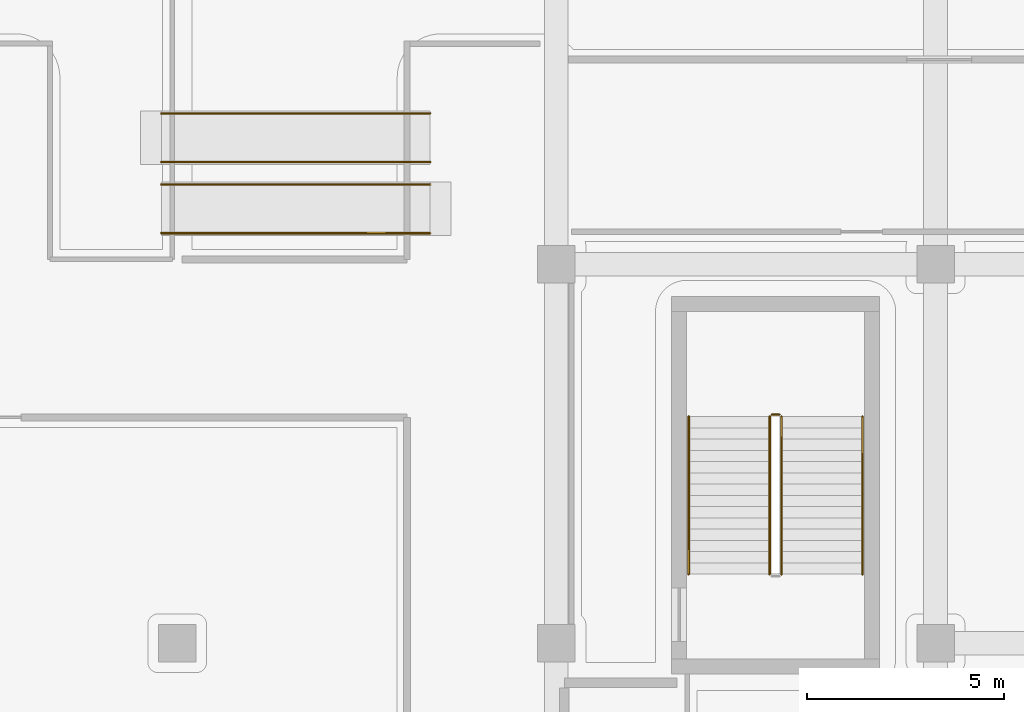
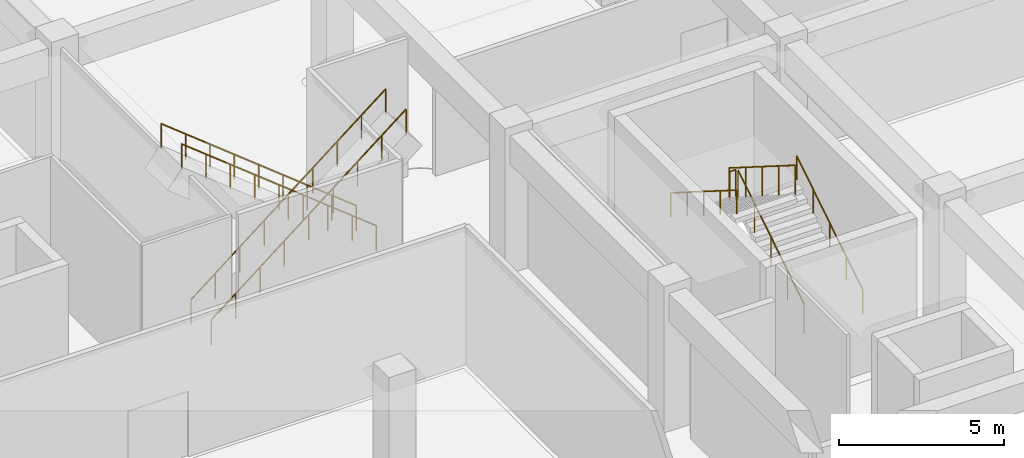
# One storey, part 54 of 74: 9 railings.
"""IFC4 building model written with IfcOpenShell, lengths in metres."""

from ifc_helpers import new_model, si_unit, direction, frame, origin, origin_2d, place, context, subcontext, project, spatial, circle, extrude, material, type_object, element, save


model = new_model("IFC4")

# Units and contexts
model_context = context("Model", 3, precision=1e-05, world=origin(), true_north=direction((0.0, 1.0)))
body_context = subcontext(model_context, "Body", "Model", "MODEL_VIEW")
ifc_project = project(units=[si_unit("LENGTHUNIT", "METRE"), si_unit("AREAUNIT", "SQUARE_METRE"), si_unit("VOLUMEUNIT", "CUBIC_METRE"), si_unit("PLANEANGLEUNIT", "RADIAN"), si_unit("MASSUNIT", "GRAM", prefix="KILO")], contexts=[model_context])

# Site, building, storey
site_placement = place(None, origin())
site = spatial("IfcSite", under=ifc_project, at=site_placement, CompositionType="ELEMENT")
building_placement = place(site_placement, origin())
building = spatial("IfcBuilding", under=site, at=building_placement, Name="Cendralis Terraced Arcade", CompositionType="ELEMENT")
storey_placement = place(building_placement, origin())
storey = spatial("IfcBuildingStorey", under=building, at=storey_placement, Name="L00", CompositionType="ELEMENT", Elevation=0.0)

# Railings
ifc_material = material(Name="Brushed stainless steel AISI 316", Category="steel")
railing_type_1 = type_object("IfcRailingType", Name="RL-ESC-HAND-950", PredefinedType="HANDRAIL", material=ifc_material)
for number, where, name in (
    (1, (38.0, 39.18505859375, 0.0), "Escalator Balustrade Handrail ESC-01-1"),
    (2, (38.0, 40.4150390625, 0.0), "Escalator Balustrade Handrail ESC-01-2"),
):
    element("IfcRailing", number, at=place(storey_placement, frame(where)), inside=storey, type_object=railing_type_1, Name=name, PredefinedType="HANDRAIL", context=body_context, shape_type="SweptSolid", body=[
        extrude(circle(Radius=0.02392578125, at=origin_2d()), frame((0.0, 0.0, 0.92578125), z_axis=(0.783118499202, 0.0, 0.621872508001), x_axis=(0.0, 1.0, 0.0)), (0.0, 0.0, 1.0), 8.683349609375),
        extrude(circle(Radius=0.02099609375, at=origin_2d()), origin(), (0.0, 0.0, 1.0), 0.90185546875),
        extrude(circle(Radius=0.02099609375, at=origin_2d()), frame((0.85009765625, 0.0, 0.675048828125)), (0.0, 0.0, 1.0), 0.90185546875),
        extrude(circle(Radius=0.02099609375, at=origin_2d()), frame((1.699951171875, 0.0, 1.35009765625)), (0.0, 0.0, 1.0), 0.90185546875),
        extrude(circle(Radius=0.02099609375, at=origin_2d()), frame((2.550048828125, 0.0, 2.02490234375)), (0.0, 0.0, 1.0), 0.90185546875),
        extrude(circle(Radius=0.02099609375, at=origin_2d()), frame((3.39990234375, 0.0, 2.699951171875)), (0.0, 0.0, 1.0), 0.90185546875),
        extrude(circle(Radius=0.02099609375, at=origin_2d()), frame((4.25, 0.0, 3.375)), (0.0, 0.0, 1.0), 0.90185546875),
        extrude(circle(Radius=0.02099609375, at=origin_2d()), frame((5.10009765625, 0.0, 4.0498046875)), (0.0, 0.0, 1.0), 0.90185546875),
        extrude(circle(Radius=0.02099609375, at=origin_2d()), frame((5.949951171875, 0.0, 4.724853515625)), (0.0, 0.0, 1.0), 0.90185546875),
        extrude(circle(Radius=0.02099609375, at=origin_2d()), frame((6.800048828125, 0.0, 5.39990234375)), (0.0, 0.0, 1.0), 0.90185546875),
    ])
for number, where, name in (
    (3, (44.800048828125, 40.985107421875, 0.0), "Escalator Balustrade Handrail ESC-02-1"),
    (4, (44.800048828125, 42.215087890625, 0.0), "Escalator Balustrade Handrail ESC-02-2"),
):
    element("IfcRailing", number, at=place(storey_placement, frame(where)), inside=storey, type_object=railing_type_1, Name=name, PredefinedType="HANDRAIL", context=body_context, shape_type="SweptSolid", body=[
        extrude(circle(Radius=0.02392578125, at=origin_2d()), frame((0.0, 0.0, 0.92578125), z_axis=(-0.783118499202, 0.0, 0.621872508001), x_axis=(0.0, -1.0, 0.0)), (0.0, 0.0, 1.0), 8.683349609375),
        extrude(circle(Radius=0.02099609375, at=origin_2d()), origin(), (0.0, 0.0, 1.0), 0.90185546875),
        extrude(circle(Radius=0.02099609375, at=origin_2d()), frame((-0.85009765625, 0.0, 0.675048828125)), (0.0, 0.0, 1.0), 0.90185546875),
        extrude(circle(Radius=0.02099609375, at=origin_2d()), frame((-1.699951171875, 0.0, 1.35009765625)), (0.0, 0.0, 1.0), 0.90185546875),
        extrude(circle(Radius=0.02099609375, at=origin_2d()), frame((-2.550048828125, 0.0, 2.02490234375)), (0.0, 0.0, 1.0), 0.90185546875),
        extrude(circle(Radius=0.02099609375, at=origin_2d()), frame((-3.39990234375, 0.0, 2.699951171875)), (0.0, 0.0, 1.0), 0.90185546875),
        extrude(circle(Radius=0.02099609375, at=origin_2d()), frame((-4.25, 0.0, 3.375)), (0.0, 0.0, 1.0), 0.90185546875),
        extrude(circle(Radius=0.02099609375, at=origin_2d()), frame((-5.10009765625, 0.0, 4.0498046875)), (0.0, 0.0, 1.0), 0.90185546875),
        extrude(circle(Radius=0.02099609375, at=origin_2d()), frame((-5.949951171875, 0.0, 4.724853515625)), (0.0, 0.0, 1.0), 0.90185546875),
        extrude(circle(Radius=0.02099609375, at=origin_2d()), frame((-6.800048828125, 0.0, 5.39990234375)), (0.0, 0.0, 1.0), 0.90185546875),
    ])
railing_type_2 = type_object("IfcRailingType", Name="RL-STAIR-GUARD-1100", PredefinedType="GUARDRAIL", material=ifc_material)
railing_1_placement = place(storey_placement, frame((53.699951171875, 30.550048828125, 0.179931640625)))
element("IfcRailing", 5, at=railing_1_placement, inside=storey, type_object=railing_type_2, Name="L00 ST-04 stair guard 1", PredefinedType="GUARDRAIL", context=body_context, shape_type="SweptSolid", body=[
    extrude(circle(Radius=0.02392578125, at=origin_2d()), frame((0.0, 0.0, 1.076171875), z_axis=(0.0, 0.845486444383, 0.533996884227), x_axis=(-1.0, 0.0, 0.0)), (0.0, 0.0, 1.0), 4.71923828125),
    extrude(circle(Radius=0.02099609375, at=origin_2d()), origin(), (0.0, 0.0, 1.0), 1.052001953125),
    extrude(circle(Radius=0.02099609375, at=origin_2d()), frame((0.0, 0.99755859375, 0.6298828125)), (0.0, 0.0, 1.0), 1.052001953125),
    extrude(circle(Radius=0.02099609375, at=origin_2d()), frame((0.0, 1.9951171875, 1.260009765625)), (0.0, 0.0, 1.0), 1.052001953125),
    extrude(circle(Radius=0.02099609375, at=origin_2d()), frame((0.0, 2.992431640625, 1.89013671875)), (0.0, 0.0, 1.0), 1.052001953125),
    extrude(circle(Radius=0.02099609375, at=origin_2d()), frame((0.0, 3.989990234375, 2.52001953125)), (0.0, 0.0, 1.0), 1.052001953125),
])
railing_2_placement = place(storey_placement, frame((53.64990234375, 34.590087890625, 2.699951171875)))
element("IfcRailing", 6, at=railing_2_placement, inside=storey, type_object=railing_type_2, Name="L00 ST-04 stair guard 2", PredefinedType="GUARDRAIL", context=body_context, shape_type="SweptSolid", body=[
    extrude(circle(Radius=0.02392578125, at=origin_2d()), frame((0.0, 0.0, 1.076171875), z_axis=(-1.0, 0.0, 0.0), x_axis=(0.0, -1.0, 0.0)), (0.0, 0.0, 1.0), 0.199951171875),
    extrude(circle(Radius=0.02099609375, at=origin_2d()), origin(), (0.0, 0.0, 1.0), 1.052001953125),
    extrude(circle(Radius=0.02099609375, at=origin_2d()), frame((-0.199951171875, 0.0, 0.0)), (0.0, 0.0, 1.0), 1.052001953125),
])
railing_3_placement = place(storey_placement, frame((53.39990234375, 34.5400390625, 2.8798828125)))
element("IfcRailing", 7, at=railing_3_placement, inside=storey, type_object=railing_type_2, Name="L00 ST-04 stair guard 3", PredefinedType="GUARDRAIL", context=body_context, shape_type="SweptSolid", body=[
    extrude(circle(Radius=0.02392578125, at=origin_2d()), frame((0.0, 0.0, 1.076171875), z_axis=(0.0, -0.845486444383, 0.533996884227), x_axis=(1.0, 0.0, 0.0)), (0.0, 0.0, 1.0), 4.71923828125),
    extrude(circle(Radius=0.02099609375, at=origin_2d()), origin(), (0.0, 0.0, 1.0), 1.052001953125),
    extrude(circle(Radius=0.02099609375, at=origin_2d()), frame((0.0, -0.99755859375, 0.6298828125)), (0.0, 0.0, 1.0), 1.052001953125),
    extrude(circle(Radius=0.02099609375, at=origin_2d()), frame((0.0, -1.9951171875, 1.260009765625)), (0.0, 0.0, 1.0), 1.052001953125),
    extrude(circle(Radius=0.02099609375, at=origin_2d()), frame((0.0, -2.992431640625, 1.89013671875)), (0.0, 0.0, 1.0), 1.052001953125),
    extrude(circle(Radius=0.02099609375, at=origin_2d()), frame((0.0, -3.989990234375, 2.52001953125)), (0.0, 0.0, 1.0), 1.052001953125),
])
railing_type_3 = type_object("IfcRailingType", Name="RL-STAIR-HAND-900", PredefinedType="HANDRAIL", material=ifc_material)
railing_4_placement = place(storey_placement, frame((55.75, 30.550048828125, 0.179931640625)))
element("IfcRailing", 8, at=railing_4_placement, inside=storey, type_object=railing_type_3, Name="L00 ST-04 stair handrail 1", PredefinedType="HANDRAIL", context=body_context, shape_type="SweptSolid", body=[
    extrude(circle(Radius=0.02392578125, at=origin_2d()), frame((0.0, 0.0, 0.8759765625), z_axis=(0.0, 0.845486444383, 0.533996884227), x_axis=(-1.0, 0.0, 0.0)), (0.0, 0.0, 1.0), 4.71923828125),
    extrude(circle(Radius=0.02099609375, at=origin_2d()), origin(), (0.0, 0.0, 1.0), 0.851806640625),
    extrude(circle(Radius=0.02099609375, at=origin_2d()), frame((0.0, 0.99755859375, 0.6298828125)), (0.0, 0.0, 1.0), 0.851806640625),
    extrude(circle(Radius=0.02099609375, at=origin_2d()), frame((0.0, 1.9951171875, 1.260009765625)), (0.0, 0.0, 1.0), 0.851806640625),
    extrude(circle(Radius=0.02099609375, at=origin_2d()), frame((0.0, 2.992431640625, 1.89013671875)), (0.0, 0.0, 1.0), 0.851806640625),
    extrude(circle(Radius=0.02099609375, at=origin_2d()), frame((0.0, 3.989990234375, 2.52001953125)), (0.0, 0.0, 1.0), 0.851806640625),
])
railing_5_placement = place(storey_placement, frame((51.35009765625, 34.5400390625, 2.8798828125)))
element("IfcRailing", 9, at=railing_5_placement, inside=storey, type_object=railing_type_3, Name="L00 ST-04 stair handrail 2", PredefinedType="HANDRAIL", context=body_context, shape_type="SweptSolid", body=[
    extrude(circle(Radius=0.02392578125, at=origin_2d()), frame((0.0, 0.0, 0.8759765625), z_axis=(0.0, -0.845486444383, 0.533996884227), x_axis=(1.0, 0.0, 0.0)), (0.0, 0.0, 1.0), 4.71923828125),
    extrude(circle(Radius=0.02099609375, at=origin_2d()), origin(), (0.0, 0.0, 1.0), 0.851806640625),
    extrude(circle(Radius=0.02099609375, at=origin_2d()), frame((0.0, -0.99755859375, 0.6298828125)), (0.0, 0.0, 1.0), 0.851806640625),
    extrude(circle(Radius=0.02099609375, at=origin_2d()), frame((0.0, -1.9951171875, 1.260009765625)), (0.0, 0.0, 1.0), 0.851806640625),
    extrude(circle(Radius=0.02099609375, at=origin_2d()), frame((0.0, -2.992431640625, 1.89013671875)), (0.0, 0.0, 1.0), 0.851806640625),
    extrude(circle(Radius=0.02099609375, at=origin_2d()), frame((0.0, -3.989990234375, 2.52001953125)), (0.0, 0.0, 1.0), 0.851806640625),
])

save(model, "model.ifc")
